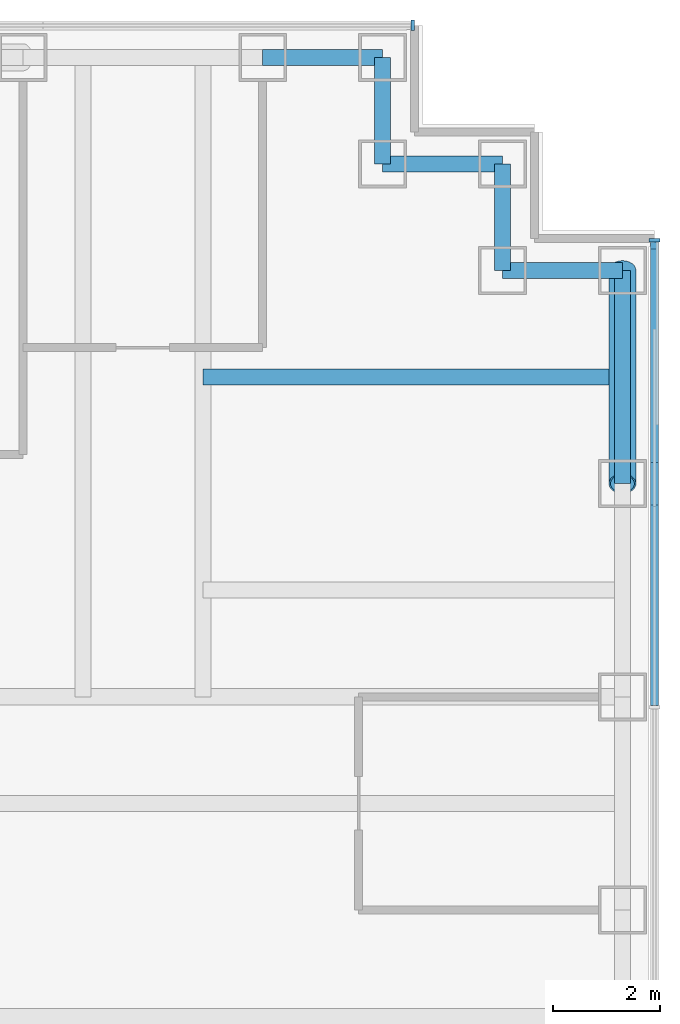
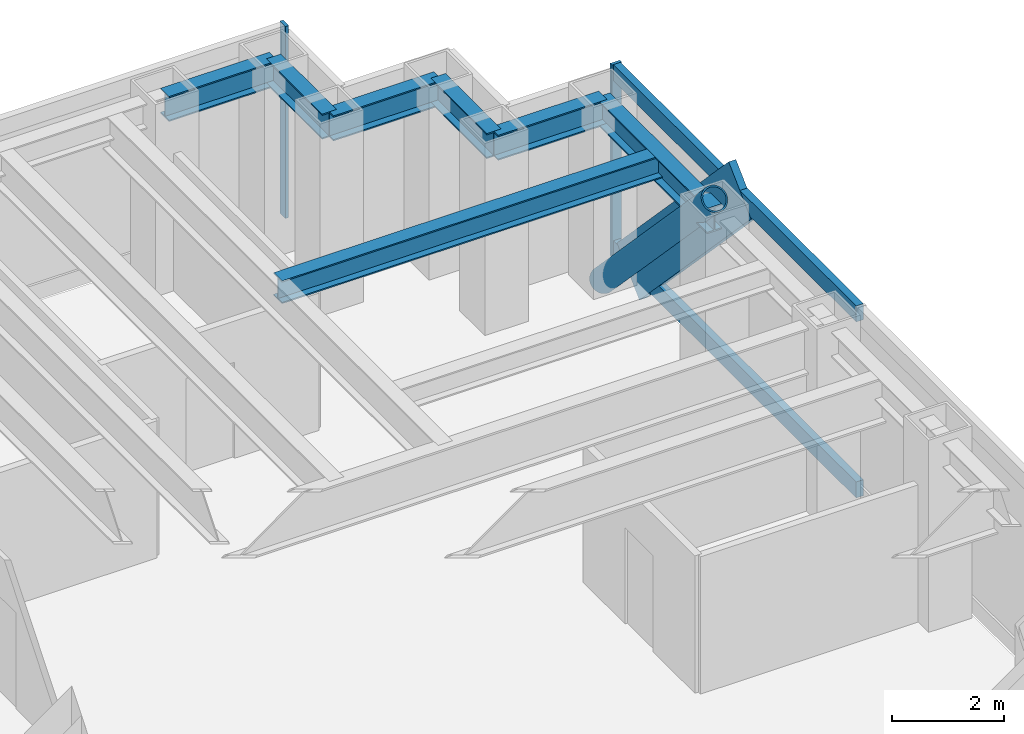
# One storey, part 9 of 15: 7 beams, 6 members, 2 elements without a shape of their own.
"""IFC4 building model written with IfcOpenShell, lengths in metres."""

from ifc_helpers import new_model, si_unit, direction, frame, origin, origin_2d, place, context, subcontext, project, spatial, rectangle, hollow_circle, i_section, extrude, material, material_profile, profile_set, type_object, element, aggregate, save


model = new_model("IFC4")

# Units and contexts
model_context = context("Model", 3, precision=1e-05, world=origin(), true_north=direction((0.0, 1.0)))
body_context = subcontext(model_context, "Body", "Model", "MODEL_VIEW")
ifc_project = project(units=[si_unit("LENGTHUNIT", "METRE"), si_unit("AREAUNIT", "SQUARE_METRE"), si_unit("VOLUMEUNIT", "CUBIC_METRE"), si_unit("PLANEANGLEUNIT", "RADIAN"), si_unit("MASSUNIT", "GRAM", prefix="KILO")], contexts=[model_context])

# Site, building, storey
site_placement = place(None, origin())
site = spatial("IfcSite", under=ifc_project, at=site_placement, CompositionType="ELEMENT")
building_placement = place(site_placement, origin())
building = spatial("IfcBuilding", under=site, at=building_placement, Name="Rheinbord Bourse Tower", CompositionType="ELEMENT")
storey_placement = place(building_placement, frame((0.0, 0.0, 313.10009765625)))
storey = spatial("IfcBuildingStorey", under=building, at=storey_placement, Name="L71", CompositionType="ELEMENT", Elevation=313.10009765625)

# Curtain wall, members
ifc_material_1 = material(Name="Dark glass and black aluminium", Category="aluminium")
curtain_wall_type = type_object("IfcCurtainWallType", Name="CW3 DARK GLASS CURTAIN WALL", PredefinedType="USERDEFINED", material=ifc_material_1)
curtain_wall_1_placement = place(storey_placement, origin())
curtain_wall_1 = element("IfcCurtainWall", 1, at=curtain_wall_1_placement, inside=storey, type_object=curtain_wall_type, Name="Curtain wall CW3 E L71", ObjectType="UNITISED CURTAIN WALL", PredefinedType="USERDEFINED")
ifc_material_2 = material(Name="Black anodised aluminium", Category="aluminium")
ifc_material_profile_1 = material_profile(ifc_material_2, rectangle(XDim=0.14990234375, YDim=1.10791015625, at=origin_2d()), Name="CW3 DIAGONAL MULLION 1108x150")
ifc_profile_set_1 = profile_set([ifc_material_profile_1], Name="Black anodised aluminium")
member_type_1 = type_object("IfcMemberType", Name="CW3 BLACK DIAGONAL MULLION", PredefinedType="USERDEFINED", material=ifc_profile_set_1)
member_1_placement = place(storey_placement, frame((70.35009765625, 40.0, 0.0), z_axis=(0.0, -0.689659376744, 0.724133926887), x_axis=(1.0, 0.0, 0.0)))
member_1 = element("IfcMember", 2, at=member_1_placement, type_object=member_type_1, Name="CW3 diagonal mullion b", ObjectType="DIAGONAL MULLION", PredefinedType="USERDEFINED", context=body_context, shape_type="SweptSolid", body=[
    extrude(rectangle(XDim=0.14990234375, YDim=1.10791015625, at=origin_2d()), origin(), (0.0, 0.0, 1.0), 5.800048828125),
])
ifc_material_3 = material(Name="Black anodised aluminium", Category="aluminium")
ifc_material_profile_2 = material_profile(ifc_material_3, rectangle(XDim=0.199951171875, YDim=0.06494140625, at=origin_2d()), Name="CW3 MULLION 65x200")
ifc_profile_set_2 = profile_set([ifc_material_profile_2], Name="Black anodised aluminium")
member_type_2 = type_object("IfcMemberType", Name="CW3 BLACK MULLION", PredefinedType="MULLION", material=ifc_profile_set_2)
member_2_placement = place(storey_placement, frame((70.35009765625, 40.5673828125, 0.0), z_axis=(0.0, 0.0, 1.0), x_axis=(-1.0, 0.0, 0.0)))
member_2 = element("IfcMember", 3, at=member_2_placement, type_object=member_type_2, Name="CW3 mullion 5", PredefinedType="MULLION", context=body_context, shape_type="SweptSolid", body=[
    extrude(rectangle(XDim=0.199951171875, YDim=0.06494140625, at=origin_2d()), origin(), (0.0, 0.0, 1.0), 4.199951171875),
])

# Curtain wall, member
curtain_wall_2_placement = place(storey_placement, origin())
curtain_wall_2 = element("IfcCurtainWall", 4, at=curtain_wall_2_placement, inside=storey, type_object=curtain_wall_type, Name="Curtain wall CW3 N L71", ObjectType="UNITISED CURTAIN WALL", PredefinedType="USERDEFINED")
member_3_placement = place(storey_placement, frame((65.8173828125, 44.60009765625, 0.0), z_axis=(0.0, 0.0, 1.0), x_axis=(0.0, -1.0, 0.0)))
member_3 = element("IfcMember", 5, at=member_3_placement, type_object=member_type_2, Name="CW3 mullion 1", PredefinedType="MULLION", context=body_context, shape_type="SweptSolid", body=[
    extrude(rectangle(XDim=0.199951171875, YDim=0.06494140625, at=origin_2d()), origin(), (0.0, 0.0, 1.0), 4.199951171875),
])
aggregate(curtain_wall_2, [member_3])

# Member
ifc_material_4 = material(Name="Black anodised aluminium", Category="aluminium")
ifc_material_profile_3 = material_profile(ifc_material_4, rectangle(XDim=0.14990234375, YDim=0.35009765625, at=origin_2d()), Name="CW3 TRANSOM 350x150")
ifc_profile_set_3 = profile_set([ifc_material_profile_3], Name="Black anodised aluminium")
member_type_3 = type_object("IfcMemberType", Name="CW3 BLACK TRANSOM", PredefinedType="USERDEFINED", material=ifc_profile_set_3)
member_4_placement = place(storey_placement, frame((70.35009765625, 31.83251953125, 0.1748046875), z_axis=(0.0, 1.0, 0.0), x_axis=(-1.0, 0.0, 0.0)))
member_4 = element("IfcMember", 6, at=member_4_placement, type_object=member_type_3, Name="CW3 transom 4.1", ObjectType="TRANSOM", PredefinedType="USERDEFINED", context=body_context, shape_type="SweptSolid", body=[
    extrude(rectangle(XDim=0.14990234375, YDim=0.35009765625, at=origin_2d()), origin(), (0.0, 0.0, 1.0), 8.702392578125),
])

member_5_placement = place(storey_placement, frame((70.35009765625, 31.83251953125, 4.02490234375), z_axis=(0.0, 1.0, 0.0), x_axis=(-1.0, 0.0, 0.0)))
member_5 = element("IfcMember", 7, at=member_5_placement, type_object=member_type_3, Name="CW3 transom 4.2", ObjectType="TRANSOM", PredefinedType="USERDEFINED", context=body_context, shape_type="SweptSolid", body=[
    extrude(rectangle(XDim=0.14990234375, YDim=0.35009765625, at=origin_2d()), origin(), (0.0, 0.0, 1.0), 8.702392578125),
])

aggregate(curtain_wall_1, [member_2, member_4, member_5, member_1])

ifc_material_5 = material(Name="Steel S460", Category="steel")
ifc_material_profile_4 = material_profile(ifc_material_5, hollow_circle(Radius=0.25390625, WallThickness=0.030029296875, at=origin_2d()), Name="CHS 508x30")
ifc_profile_set_4 = profile_set([ifc_material_profile_4], Name="Steel S460")
member_type_4 = type_object("IfcMemberType", Name="MEGABRACE CHS 508x30", PredefinedType="BRACE", material=ifc_profile_set_4)
member_6_placement = place(storey_placement, frame((69.75, 40.0, 0.0), z_axis=(0.0, -0.689659376744, 0.724133926887), x_axis=(1.0, 0.0, 0.0)))
element("IfcMember", 8, at=member_6_placement, inside=storey, type_object=member_type_4, Name="Megabrace E face line b L71", PredefinedType="BRACE", context=body_context, shape_type="SweptSolid", body=[
    extrude(hollow_circle(Radius=0.25390625, WallThickness=0.030029296875, at=origin_2d()), origin(), (0.0, 0.0, 1.0), 5.800048828125),
])

# Beams
ifc_material_6 = material(Name="Steel S460", Category="steel")
ifc_material_profile_5 = material_profile(ifc_material_6, i_section(OverallWidth=0.300048828125, OverallDepth=0.550048828125, WebThickness=0.014892578125, FlangeThickness=0.029052734375, at=origin_2d()), Name="HEB 550")
ifc_profile_set_5 = profile_set([ifc_material_profile_5], Name="Steel S460")
beam_type_1 = type_object("IfcBeamType", Name="SPANDREL HEB 550", PredefinedType="SPANDREL", material=ifc_profile_set_5)
beam_1_placement = place(storey_placement, frame((69.75, 36.0, 3.764892578125), z_axis=(0.0, 1.0, 0.0), x_axis=(-1.0, 0.0, 0.0)))
element("IfcBeam", 9, at=beam_1_placement, inside=storey, type_object=beam_type_1, Name="Spandrel E-36-NE-A under L72", PredefinedType="SPANDREL", context=body_context, shape_type="SweptSolid", body=[
    extrude(i_section(OverallWidth=0.300048828125, OverallDepth=0.550048828125, WebThickness=0.014892578125, FlangeThickness=0.029052734375, at=origin_2d()), origin(), (0.0, 0.0, 1.0), 4.0),
])
beam_2_placement = place(storey_placement, frame((69.75, 40.0, 3.764892578125), z_axis=(-1.0, 0.0, 0.0), x_axis=(0.0, -1.0, 0.0)))
element("IfcBeam", 10, at=beam_2_placement, inside=storey, type_object=beam_type_1, Name="Spandrel NE-A-NE-B under L72", PredefinedType="SPANDREL", context=body_context, shape_type="SweptSolid", body=[
    extrude(i_section(OverallWidth=0.300048828125, OverallDepth=0.550048828125, WebThickness=0.014892578125, FlangeThickness=0.029052734375, at=origin_2d()), origin(), (0.0, 0.0, 1.0), 2.25),
])
beam_3_placement = place(storey_placement, frame((67.5, 40.0, 3.764892578125), z_axis=(0.0, 1.0, 0.0), x_axis=(-1.0, 0.0, 0.0)))
element("IfcBeam", 11, at=beam_3_placement, inside=storey, type_object=beam_type_1, Name="Spandrel NE-B-NE-C under L72", PredefinedType="SPANDREL", context=body_context, shape_type="SweptSolid", body=[
    extrude(i_section(OverallWidth=0.300048828125, OverallDepth=0.550048828125, WebThickness=0.014892578125, FlangeThickness=0.029052734375, at=origin_2d()), origin(), (0.0, 0.0, 1.0), 2.0),
])
beam_4_placement = place(storey_placement, frame((67.5, 42.0, 3.764892578125), z_axis=(-1.0, 0.0, 0.0), x_axis=(0.0, -1.0, 0.0)))
element("IfcBeam", 12, at=beam_4_placement, inside=storey, type_object=beam_type_1, Name="Spandrel NE-C-NE-D under L72", PredefinedType="SPANDREL", context=body_context, shape_type="SweptSolid", body=[
    extrude(i_section(OverallWidth=0.300048828125, OverallDepth=0.550048828125, WebThickness=0.014892578125, FlangeThickness=0.029052734375, at=origin_2d()), origin(), (0.0, 0.0, 1.0), 2.25),
])
beam_5_placement = place(storey_placement, frame((65.25, 42.0, 3.764892578125), z_axis=(0.0, 1.0, 0.0), x_axis=(-1.0, 0.0, 0.0)))
element("IfcBeam", 13, at=beam_5_placement, inside=storey, type_object=beam_type_1, Name="Spandrel NE-D-NE-E under L72", PredefinedType="SPANDREL", context=body_context, shape_type="SweptSolid", body=[
    extrude(i_section(OverallWidth=0.300048828125, OverallDepth=0.550048828125, WebThickness=0.014892578125, FlangeThickness=0.029052734375, at=origin_2d()), origin(), (0.0, 0.0, 1.0), 2.0),
])
beam_6_placement = place(storey_placement, frame((65.25, 44.0, 3.764892578125), z_axis=(-1.0, 0.0, 0.0), x_axis=(0.0, -1.0, 0.0)))
element("IfcBeam", 14, at=beam_6_placement, inside=storey, type_object=beam_type_1, Name="Spandrel NE-E-N-63 under L72", PredefinedType="SPANDREL", context=body_context, shape_type="SweptSolid", body=[
    extrude(i_section(OverallWidth=0.300048828125, OverallDepth=0.550048828125, WebThickness=0.014892578125, FlangeThickness=0.029052734375, at=origin_2d()), origin(), (0.0, 0.0, 1.0), 2.25),
])
ifc_material_7 = material(Name="Steel S460", Category="steel")
ifc_material_profile_6 = material_profile(ifc_material_7, i_section(OverallWidth=0.300048828125, OverallDepth=0.5, WebThickness=0.014404296875, FlangeThickness=0.028076171875, at=origin_2d()), Name="HEB 500")
ifc_profile_set_6 = profile_set([ifc_material_profile_6], Name="Steel S460")
beam_type_2 = type_object("IfcBeamType", Name="TIE BEAM HEB 500", PredefinedType="JOIST", material=ifc_profile_set_6)
beam_7_placement = place(storey_placement, frame((61.875, 38.0, 3.789794921875), z_axis=(1.0, 0.0, 0.0), x_axis=(0.0, 1.0, 0.0)))
element("IfcBeam", 15, at=beam_7_placement, inside=storey, type_object=beam_type_2, Name="Tie east 38 L72", PredefinedType="JOIST", context=body_context, shape_type="SweptSolid", body=[
    extrude(i_section(OverallWidth=0.300048828125, OverallDepth=0.5, WebThickness=0.014404296875, FlangeThickness=0.028076171875, at=origin_2d()), origin(), (0.0, 0.0, 1.0), 7.875),
])

save(model, "model.ifc")
